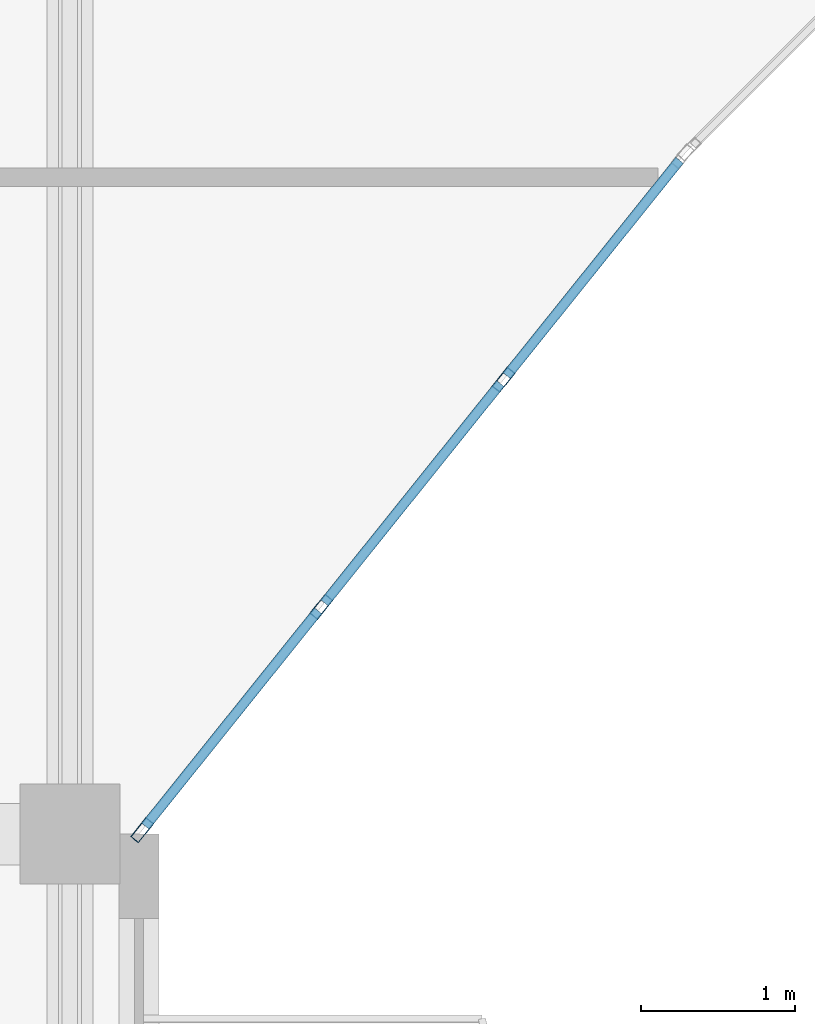
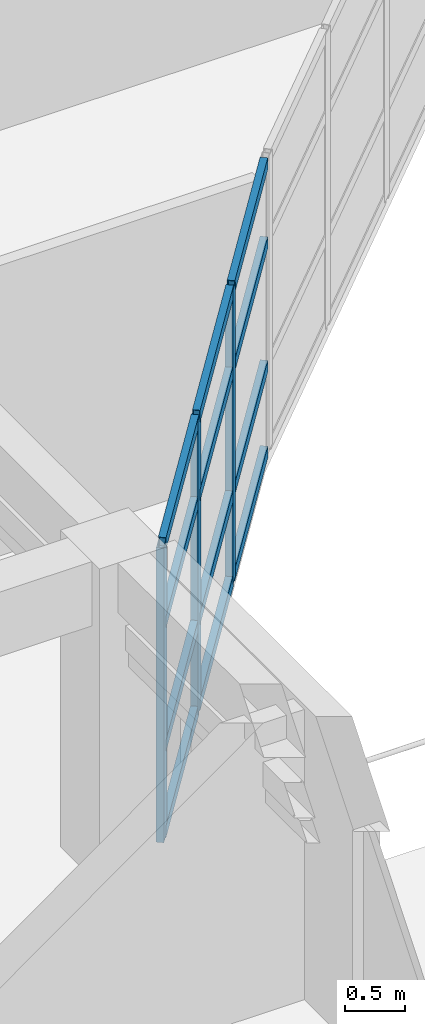
# One storey, part 44 of 128: 15 members, 1 element without a shape of its own.
"""IFC4 building model written with IfcOpenShell, lengths in metres."""

from ifc_helpers import new_model, si_unit, direction, frame, origin, origin_2d, place, context, subcontext, project, spatial, hollow_rectangle, extrude, material, layer, layer_set, material_profile, profile_set, type_object, element, aggregate, save


model = new_model("IFC4")

# Units and contexts
model_context = context("Model", 3, precision=1e-05, world=origin(), true_north=direction((0.0, 1.0)))
body_context = subcontext(model_context, "Body", "Model", "MODEL_VIEW")
ifc_project = project(units=[si_unit("LENGTHUNIT", "METRE"), si_unit("AREAUNIT", "SQUARE_METRE"), si_unit("VOLUMEUNIT", "CUBIC_METRE"), si_unit("PLANEANGLEUNIT", "RADIAN"), si_unit("MASSUNIT", "GRAM", prefix="KILO")], contexts=[model_context])

# Site, building, storey
site_placement = place(None, origin())
site = spatial("IfcSite", under=ifc_project, at=site_placement, CompositionType="ELEMENT")
building_placement = place(site_placement, origin())
building = spatial("IfcBuilding", under=site, at=building_placement, Name="Keldmere Railside Commons", CompositionType="ELEMENT")
storey_placement = place(building_placement, frame((0.0, 0.0, 4.159912109375)))
storey = spatial("IfcBuildingStorey", under=building, at=storey_placement, Name="L01", CompositionType="ELEMENT", Elevation=4.159912109375)

# Curtain wall, members
ifc_material = material(Name="Thermally Broken Aluminium", Category="aluminium")
ifc_layer = layer(ifc_material, 0.159912109375, Name="Court Chord Wintergarden CW 4800x2850")
ifc_layer_set = layer_set([ifc_layer], Name="Thermally Broken Aluminium")
curtain_wall_type = type_object("IfcCurtainWallType", Name="Court Chord Wintergarden CW 4800x2850", PredefinedType="NOTDEFINED", material=ifc_layer_set)
curtain_wall_placement = place(storey_placement, origin())
curtain_wall = element("IfcCurtainWall", 1, at=curtain_wall_placement, inside=storey, type_object=curtain_wall_type, Name="CW-12 CW-L01-031", PredefinedType="NOTDEFINED")
ifc_material_profile_1 = material_profile(ifc_material, hollow_rectangle(XDim=0.06494140625, YDim=0.159912109375, WallThickness=0.00390625, at=origin_2d()), Name="ALU-MULL-65x160")
ifc_profile_set_1 = profile_set([ifc_material_profile_1], Name="Thermally Broken Aluminium")
member_type_1 = type_object("IfcMemberType", Name="Unitised Curtain Wall Mullion 65x160", PredefinedType="MULLION", material=ifc_profile_set_1)
member_1_placement = place(storey_placement, frame((66.369384765625, 90.953369140625, 0.0), z_axis=(0.0, 0.0, 1.0), x_axis=(0.780009172323, -0.625768080915, 0.0)))
member_1 = element("IfcMember", 2, at=member_1_placement, type_object=member_type_1, Name="CW-12 mullion 2", PredefinedType="MULLION", context=body_context, shape_type="SweptSolid", body=[
    extrude(hollow_rectangle(XDim=0.06494140625, YDim=0.159912109375, WallThickness=0.00390625, at=origin_2d()), origin(), (0.0, 0.0, 1.0), 2.97998046875),
])
member_2_placement = place(storey_placement, frame((65.1845703125, 89.4765625, 0.0), z_axis=(0.0, 0.0, 1.0), x_axis=(0.780009172323, -0.625768080915, 0.0)))
member_2 = element("IfcMember", 3, at=member_2_placement, type_object=member_type_1, Name="CW-12 mullion 3", PredefinedType="MULLION", context=body_context, shape_type="SweptSolid", body=[
    extrude(hollow_rectangle(XDim=0.06494140625, YDim=0.159912109375, WallThickness=0.00390625, at=origin_2d()), origin(), (0.0, 0.0, 1.0), 2.97998046875),
])
member_3_placement = place(storey_placement, frame((64.020263671875, 88.025390625, 0.0), z_axis=(0.0, 0.0, 1.0), x_axis=(0.780009172323, -0.625768080915, 0.0)))
member_3 = element("IfcMember", 4, at=member_3_placement, type_object=member_type_1, Name="CW-12 mullion 4", PredefinedType="MULLION", context=body_context, shape_type="SweptSolid", body=[
    extrude(hollow_rectangle(XDim=0.06494140625, YDim=0.159912109375, WallThickness=0.00390625, at=origin_2d()), origin(), (0.0, 0.0, 1.0), 2.97998046875),
])
ifc_material_profile_2 = material_profile(ifc_material, hollow_rectangle(XDim=0.06494140625, YDim=0.1201171875, WallThickness=0.00390625, at=origin_2d()), Name="ALU-TRAN-65x120")
ifc_profile_set_2 = profile_set([ifc_material_profile_2], Name="Thermally Broken Aluminium")
member_type_2 = type_object("IfcMemberType", Name="Unitised Curtain Wall Transom 65x120", PredefinedType="USERDEFINED", material=ifc_profile_set_2)
member_4_placement = place(storey_placement, frame((67.513427734375, 92.37939453125, 0.032470703125), z_axis=(-0.625805275091, -0.779979331565, 0.0), x_axis=(0.779979331565, -0.625805275091, 0.0)))
member_4 = element("IfcMember", 5, at=member_4_placement, type_object=member_type_2, Name="CW-12 transom 1.1", ObjectType="TRANSOM", PredefinedType="USERDEFINED", context=body_context, shape_type="SweptSolid", body=[
    extrude(hollow_rectangle(XDim=0.06494140625, YDim=0.1201171875, WallThickness=0.00390625, at=origin_2d()), origin(), (0.0, 0.0, 1.0), 1.795654296875),
])
member_5_placement = place(storey_placement, frame((67.513427734375, 92.37939453125, 0.900146484375), z_axis=(-0.625805275091, -0.779979331565, 0.0), x_axis=(0.779979331565, -0.625805275091, 0.0)))
member_5 = element("IfcMember", 6, at=member_5_placement, type_object=member_type_2, Name="CW-12 transom 1.2", ObjectType="TRANSOM", PredefinedType="USERDEFINED", context=body_context, shape_type="SweptSolid", body=[
    extrude(hollow_rectangle(XDim=0.06494140625, YDim=0.1201171875, WallThickness=0.00390625, at=origin_2d()), origin(), (0.0, 0.0, 1.0), 1.795654296875),
])
member_6_placement = place(storey_placement, frame((67.513427734375, 92.37939453125, 2.150146484375), z_axis=(-0.625805275091, -0.779979331565, 0.0), x_axis=(0.779979331565, -0.625805275091, 0.0)))
member_6 = element("IfcMember", 7, at=member_6_placement, type_object=member_type_2, Name="CW-12 transom 1.3", ObjectType="TRANSOM", PredefinedType="USERDEFINED", context=body_context, shape_type="SweptSolid", body=[
    extrude(hollow_rectangle(XDim=0.06494140625, YDim=0.1201171875, WallThickness=0.00390625, at=origin_2d()), origin(), (0.0, 0.0, 1.0), 1.795654296875),
])
member_7_placement = place(storey_placement, frame((67.513427734375, 92.37939453125, 2.947509765625), z_axis=(-0.625805275091, -0.779979331565, 0.0), x_axis=(0.779979331565, -0.625805275091, 0.0)))
member_7 = element("IfcMember", 8, at=member_7_placement, type_object=member_type_2, Name="CW-12 transom 1.4", ObjectType="TRANSOM", PredefinedType="USERDEFINED", context=body_context, shape_type="SweptSolid", body=[
    extrude(hollow_rectangle(XDim=0.06494140625, YDim=0.1201171875, WallThickness=0.00390625, at=origin_2d()), origin(), (0.0, 0.0, 1.0), 1.795654296875),
])
member_8_placement = place(storey_placement, frame((66.348876953125, 90.927978515625, 0.032470703125), z_axis=(-0.625688033635, -0.78007338409, 0.0), x_axis=(0.78007338409, -0.625688033635, 0.0)))
member_8 = element("IfcMember", 9, at=member_8_placement, type_object=member_type_2, Name="CW-12 transom 2.1", ObjectType="TRANSOM", PredefinedType="USERDEFINED", context=body_context, shape_type="SweptSolid", body=[
    extrude(hollow_rectangle(XDim=0.06494140625, YDim=0.1201171875, WallThickness=0.00390625, at=origin_2d()), origin(), (0.0, 0.0, 1.0), 1.828125),
])
member_9_placement = place(storey_placement, frame((66.348876953125, 90.927978515625, 0.900146484375), z_axis=(-0.625688033635, -0.78007338409, 0.0), x_axis=(0.78007338409, -0.625688033635, 0.0)))
member_9 = element("IfcMember", 10, at=member_9_placement, type_object=member_type_2, Name="CW-12 transom 2.2", ObjectType="TRANSOM", PredefinedType="USERDEFINED", context=body_context, shape_type="SweptSolid", body=[
    extrude(hollow_rectangle(XDim=0.06494140625, YDim=0.1201171875, WallThickness=0.00390625, at=origin_2d()), origin(), (0.0, 0.0, 1.0), 1.828125),
])
member_10_placement = place(storey_placement, frame((66.348876953125, 90.927978515625, 2.150146484375), z_axis=(-0.625688033635, -0.78007338409, 0.0), x_axis=(0.78007338409, -0.625688033635, 0.0)))
member_10 = element("IfcMember", 11, at=member_10_placement, type_object=member_type_2, Name="CW-12 transom 2.3", ObjectType="TRANSOM", PredefinedType="USERDEFINED", context=body_context, shape_type="SweptSolid", body=[
    extrude(hollow_rectangle(XDim=0.06494140625, YDim=0.1201171875, WallThickness=0.00390625, at=origin_2d()), origin(), (0.0, 0.0, 1.0), 1.828125),
])
member_11_placement = place(storey_placement, frame((66.348876953125, 90.927978515625, 2.947509765625), z_axis=(-0.625688033635, -0.78007338409, 0.0), x_axis=(0.78007338409, -0.625688033635, 0.0)))
member_11 = element("IfcMember", 12, at=member_11_placement, type_object=member_type_2, Name="CW-12 transom 2.4", ObjectType="TRANSOM", PredefinedType="USERDEFINED", context=body_context, shape_type="SweptSolid", body=[
    extrude(hollow_rectangle(XDim=0.06494140625, YDim=0.1201171875, WallThickness=0.00390625, at=origin_2d()), origin(), (0.0, 0.0, 1.0), 1.828125),
])
member_12_placement = place(storey_placement, frame((65.164306640625, 89.451416015625, 0.032470703125), z_axis=(-0.625722553313, -0.780045694992, 0.0), x_axis=(0.780045694992, -0.625722553313, 0.0)))
member_12 = element("IfcMember", 13, at=member_12_placement, type_object=member_type_2, Name="CW-12 transom 3.1", ObjectType="TRANSOM", PredefinedType="USERDEFINED", context=body_context, shape_type="SweptSolid", body=[
    extrude(hollow_rectangle(XDim=0.06494140625, YDim=0.1201171875, WallThickness=0.00390625, at=origin_2d()), origin(), (0.0, 0.0, 1.0), 1.795654296875),
])
member_13_placement = place(storey_placement, frame((65.164306640625, 89.451416015625, 0.900146484375), z_axis=(-0.625722553313, -0.780045694992, 0.0), x_axis=(0.780045694992, -0.625722553313, 0.0)))
member_13 = element("IfcMember", 14, at=member_13_placement, type_object=member_type_2, Name="CW-12 transom 3.2", ObjectType="TRANSOM", PredefinedType="USERDEFINED", context=body_context, shape_type="SweptSolid", body=[
    extrude(hollow_rectangle(XDim=0.06494140625, YDim=0.1201171875, WallThickness=0.00390625, at=origin_2d()), origin(), (0.0, 0.0, 1.0), 1.795654296875),
])
member_14_placement = place(storey_placement, frame((65.164306640625, 89.451416015625, 2.150146484375), z_axis=(-0.625722553313, -0.780045694992, 0.0), x_axis=(0.780045694992, -0.625722553313, 0.0)))
member_14 = element("IfcMember", 15, at=member_14_placement, type_object=member_type_2, Name="CW-12 transom 3.3", ObjectType="TRANSOM", PredefinedType="USERDEFINED", context=body_context, shape_type="SweptSolid", body=[
    extrude(hollow_rectangle(XDim=0.06494140625, YDim=0.1201171875, WallThickness=0.00390625, at=origin_2d()), origin(), (0.0, 0.0, 1.0), 1.795654296875),
])
member_15_placement = place(storey_placement, frame((65.164306640625, 89.451416015625, 2.947509765625), z_axis=(-0.625722553313, -0.780045694992, 0.0), x_axis=(0.780045694992, -0.625722553313, 0.0)))
member_15 = element("IfcMember", 16, at=member_15_placement, type_object=member_type_2, Name="CW-12 transom 3.4", ObjectType="TRANSOM", PredefinedType="USERDEFINED", context=body_context, shape_type="SweptSolid", body=[
    extrude(hollow_rectangle(XDim=0.06494140625, YDim=0.1201171875, WallThickness=0.00390625, at=origin_2d()), origin(), (0.0, 0.0, 1.0), 1.795654296875),
])
aggregate(curtain_wall, [member_1, member_2, member_3, member_4, member_5, member_6, member_7, member_8, member_9, member_10, member_11, member_12, member_13, member_14, member_15])

save(model, "model.ifc")
